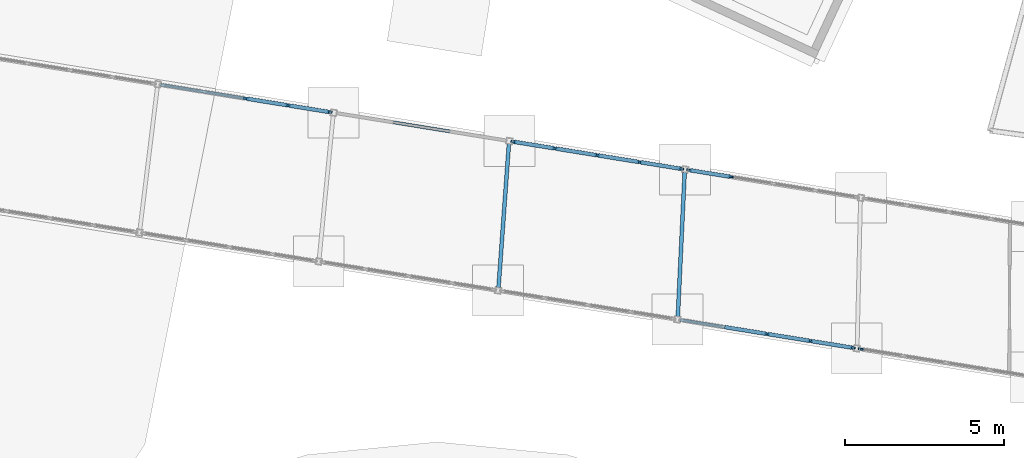
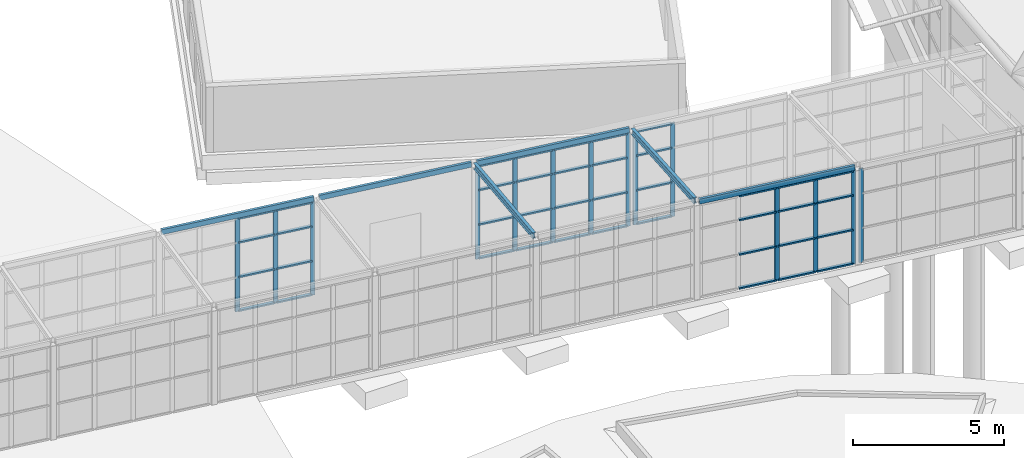
# One storey, part 80 of 226: 54 members, 6 beams, 5 elements without a shape of their own.
"""IFC4 building model written with IfcOpenShell, lengths in metres."""

from ifc_helpers import new_model, si_unit, direction, frame, origin, origin_2d, place, context, subcontext, project, spatial, rectangle, hollow_rectangle, i_section, extrude, material, material_profile, profile_set, type_object, element, aggregate, save


model = new_model("IFC4")

# Units and contexts
model_context = context("Model", 3, precision=1e-05, world=origin(), true_north=direction((0.0, 1.0)))
body_context = subcontext(model_context, "Body", "Model", "MODEL_VIEW")
ifc_project = project(units=[si_unit("LENGTHUNIT", "METRE"), si_unit("AREAUNIT", "SQUARE_METRE"), si_unit("VOLUMEUNIT", "CUBIC_METRE"), si_unit("PLANEANGLEUNIT", "RADIAN"), si_unit("MASSUNIT", "GRAM", prefix="KILO")], contexts=[model_context])

# Site, building, storey
site_placement = place(None, origin())
site = spatial("IfcSite", under=ifc_project, at=site_placement, CompositionType="ELEMENT")
building_placement = place(site_placement, origin())
building = spatial("IfcBuilding", under=site, at=building_placement, Name="Ceibo Conservatory and Research Tower", CompositionType="ELEMENT")
storey_placement = place(building_placement, origin())
storey = spatial("IfcBuildingStorey", under=building, at=storey_placement, Name="L00", CompositionType="ELEMENT", Elevation=0.0)

# Curtain wall, member
ifc_material_1 = material(Name="Aluminium and glass", Category="aluminium")
curtain_wall_type = type_object("IfcCurtainWallType", Name="Gallery curtain wall", PredefinedType="NOTDEFINED", material=ifc_material_1)
curtain_wall_1_placement = place(storey_placement, origin())
curtain_wall_1 = element("IfcCurtainWall", 1, at=curtain_wall_1_placement, inside=storey, type_object=curtain_wall_type, Name="Gallery curtain wall A-RT-CWN02", PredefinedType="NOTDEFINED")
ifc_material_2 = material(Name="Aluminium", Category="aluminium")
ifc_material_profile_1 = material_profile(ifc_material_2, rectangle(XDim=0.06005859375, YDim=0.159912109375, at=origin_2d()), Name="AL 60x160")
ifc_profile_set_1 = profile_set([ifc_material_profile_1], Name="Aluminium")
member_type_1 = type_object("IfcMemberType", Name="Gallery mullion 60x160", PredefinedType="MULLION", material=ifc_profile_set_1)
member_1_placement = place(storey_placement, frame((109.334716796875, 106.924072265625, 0.0), z_axis=(0.0, 0.0, 1.0), x_axis=(-0.159391110254, -0.987215515464, 0.0)))
member_1 = element("IfcMember", 2, at=member_1_placement, type_object=member_type_1, Name="A-RT-CWN02 mullion 5", PredefinedType="MULLION", context=body_context, shape_type="SweptSolid", body=[
    extrude(rectangle(XDim=0.06005859375, YDim=0.159912109375, at=origin_2d()), origin(), (0.0, 0.0, 1.0), 3.800048828125),
])
aggregate(curtain_wall_1, [member_1])

# Curtain wall, members
curtain_wall_2_placement = place(storey_placement, origin())
curtain_wall_2 = element("IfcCurtainWall", 3, at=curtain_wall_2_placement, inside=storey, type_object=curtain_wall_type, Name="Gallery curtain wall A-RT-CWN03", PredefinedType="NOTDEFINED")
member_2_placement = place(storey_placement, frame((109.078125, 106.965576171875, 0.0), z_axis=(0.0, 0.0, 1.0), x_axis=(-0.159391110254, -0.987215515464, 0.0)))
member_2 = element("IfcMember", 4, at=member_2_placement, type_object=member_type_1, Name="A-RT-CWN03 mullion 1", PredefinedType="MULLION", context=body_context, shape_type="SweptSolid", body=[
    extrude(rectangle(XDim=0.06005859375, YDim=0.159912109375, at=origin_2d()), origin(), (0.0, 0.0, 1.0), 3.800048828125),
])
member_3_placement = place(storey_placement, frame((107.745849609375, 107.1806640625, 0.0), z_axis=(0.0, 0.0, 1.0), x_axis=(-0.159391110254, -0.987215515464, 0.0)))
member_3 = element("IfcMember", 5, at=member_3_placement, type_object=member_type_1, Name="A-RT-CWN03 mullion 2", PredefinedType="MULLION", context=body_context, shape_type="SweptSolid", body=[
    extrude(rectangle(XDim=0.06005859375, YDim=0.159912109375, at=origin_2d()), origin(), (0.0, 0.0, 1.0), 3.800048828125),
])
member_4_placement = place(storey_placement, frame((106.3837890625, 107.400390625, 0.0), z_axis=(0.0, 0.0, 1.0), x_axis=(-0.159391110254, -0.987215515464, 0.0)))
member_4 = element("IfcMember", 6, at=member_4_placement, type_object=member_type_1, Name="A-RT-CWN03 mullion 3", PredefinedType="MULLION", context=body_context, shape_type="SweptSolid", body=[
    extrude(rectangle(XDim=0.06005859375, YDim=0.159912109375, at=origin_2d()), origin(), (0.0, 0.0, 1.0), 3.800048828125),
])

curtain_wall_3_placement = place(storey_placement, origin())
curtain_wall_3 = element("IfcCurtainWall", 7, at=curtain_wall_3_placement, inside=storey, type_object=curtain_wall_type, Name="Gallery curtain wall A-RT-CWS03", PredefinedType="NOTDEFINED")
member_5_placement = place(storey_placement, frame((105.23876953125, 112.34619140625, 0.0), z_axis=(0.0, 0.0, 1.0), x_axis=(-0.159391110254, -0.987215515464, 0.0)))
member_5 = element("IfcMember", 8, at=member_5_placement, type_object=member_type_1, Name="A-RT-CWS03 mullion 4", PredefinedType="MULLION", context=body_context, shape_type="SweptSolid", body=[
    extrude(rectangle(XDim=0.06005859375, YDim=0.159912109375, at=origin_2d()), origin(), (0.0, 0.0, 1.0), 3.800048828125),
])
member_6_placement = place(storey_placement, frame((103.9345703125, 112.556884765625, 0.0), z_axis=(0.0, 0.0, 1.0), x_axis=(-0.159391110254, -0.987215515464, 0.0)))
member_6 = element("IfcMember", 9, at=member_6_placement, type_object=member_type_1, Name="A-RT-CWS03 mullion 5", PredefinedType="MULLION", context=body_context, shape_type="SweptSolid", body=[
    extrude(rectangle(XDim=0.06005859375, YDim=0.159912109375, at=origin_2d()), origin(), (0.0, 0.0, 1.0), 3.800048828125),
])

curtain_wall_4_placement = place(storey_placement, origin())
curtain_wall_4 = element("IfcCurtainWall", 10, at=curtain_wall_4_placement, inside=storey, type_object=curtain_wall_type, Name="Gallery curtain wall A-RT-CWS04", PredefinedType="NOTDEFINED")
member_7_placement = place(storey_placement, frame((103.677978515625, 112.59814453125, 0.0), z_axis=(0.0, 0.0, 1.0), x_axis=(-0.159391110254, -0.987215515464, 0.0)))
member_7 = element("IfcMember", 11, at=member_7_placement, type_object=member_type_1, Name="A-RT-CWS04 mullion 1", PredefinedType="MULLION", context=body_context, shape_type="SweptSolid", body=[
    extrude(rectangle(XDim=0.06005859375, YDim=0.159912109375, at=origin_2d()), origin(), (0.0, 0.0, 1.0), 3.800048828125),
])
member_8_placement = place(storey_placement, frame((102.373779296875, 112.808837890625, 0.0), z_axis=(0.0, 0.0, 1.0), x_axis=(-0.159391110254, -0.987215515464, 0.0)))
member_8 = element("IfcMember", 12, at=member_8_placement, type_object=member_type_1, Name="A-RT-CWS04 mullion 2", PredefinedType="MULLION", context=body_context, shape_type="SweptSolid", body=[
    extrude(rectangle(XDim=0.06005859375, YDim=0.159912109375, at=origin_2d()), origin(), (0.0, 0.0, 1.0), 3.800048828125),
])
member_9_placement = place(storey_placement, frame((101.039794921875, 113.024169921875, 0.0), z_axis=(0.0, 0.0, 1.0), x_axis=(-0.159391110254, -0.987215515464, 0.0)))
member_9 = element("IfcMember", 13, at=member_9_placement, type_object=member_type_1, Name="A-RT-CWS04 mullion 3", PredefinedType="MULLION", context=body_context, shape_type="SweptSolid", body=[
    extrude(rectangle(XDim=0.06005859375, YDim=0.159912109375, at=origin_2d()), origin(), (0.0, 0.0, 1.0), 3.800048828125),
])
member_10_placement = place(storey_placement, frame((99.705810546875, 113.239501953125, 0.0), z_axis=(0.0, 0.0, 1.0), x_axis=(-0.159391110254, -0.987215515464, 0.0)))
member_10 = element("IfcMember", 14, at=member_10_placement, type_object=member_type_1, Name="A-RT-CWS04 mullion 4", PredefinedType="MULLION", context=body_context, shape_type="SweptSolid", body=[
    extrude(rectangle(XDim=0.06005859375, YDim=0.159912109375, at=origin_2d()), origin(), (0.0, 0.0, 1.0), 3.800048828125),
])
member_11_placement = place(storey_placement, frame((98.401611328125, 113.4501953125, 0.0), z_axis=(0.0, 0.0, 1.0), x_axis=(-0.159391110254, -0.987215515464, 0.0)))
member_11 = element("IfcMember", 15, at=member_11_placement, type_object=member_type_1, Name="A-RT-CWS04 mullion 5", PredefinedType="MULLION", context=body_context, shape_type="SweptSolid", body=[
    extrude(rectangle(XDim=0.06005859375, YDim=0.159912109375, at=origin_2d()), origin(), (0.0, 0.0, 1.0), 3.800048828125),
])

curtain_wall_5_placement = place(storey_placement, origin())
curtain_wall_5 = element("IfcCurtainWall", 16, at=curtain_wall_5_placement, inside=storey, type_object=curtain_wall_type, Name="Gallery curtain wall A-RT-CWS06", PredefinedType="NOTDEFINED")
member_12_placement = place(storey_placement, frame((92.612060546875, 114.385009765625, 0.0), z_axis=(0.0, 0.0, 1.0), x_axis=(-0.159391110254, -0.987215515464, 0.0)))
member_12 = element("IfcMember", 17, at=member_12_placement, type_object=member_type_1, Name="A-RT-CWS06 mullion 1", PredefinedType="MULLION", context=body_context, shape_type="SweptSolid", body=[
    extrude(rectangle(XDim=0.06005859375, YDim=0.159912109375, at=origin_2d()), origin(), (0.0, 0.0, 1.0), 3.800048828125),
])
member_13_placement = place(storey_placement, frame((91.307861328125, 114.595458984375, 0.0), z_axis=(0.0, 0.0, 1.0), x_axis=(-0.159391110254, -0.987215515464, 0.0)))
member_13 = element("IfcMember", 18, at=member_13_placement, type_object=member_type_1, Name="A-RT-CWS06 mullion 2", PredefinedType="MULLION", context=body_context, shape_type="SweptSolid", body=[
    extrude(rectangle(XDim=0.06005859375, YDim=0.159912109375, at=origin_2d()), origin(), (0.0, 0.0, 1.0), 3.800048828125),
])
member_14_placement = place(storey_placement, frame((89.973876953125, 114.810791015625, 0.0), z_axis=(0.0, 0.0, 1.0), x_axis=(-0.159391110254, -0.987215515464, 0.0)))
member_14 = element("IfcMember", 19, at=member_14_placement, type_object=member_type_1, Name="A-RT-CWS06 mullion 3", PredefinedType="MULLION", context=body_context, shape_type="SweptSolid", body=[
    extrude(rectangle(XDim=0.06005859375, YDim=0.159912109375, at=origin_2d()), origin(), (0.0, 0.0, 1.0), 3.800048828125),
])

# Member
ifc_material_profile_2 = material_profile(ifc_material_2, rectangle(XDim=0.1201171875, YDim=0.06005859375, at=origin_2d()), Name="AL 60x120")
ifc_profile_set_2 = profile_set([ifc_material_profile_2], Name="Aluminium")
member_type_2 = type_object("IfcMemberType", Name="Gallery transom 60x120", PredefinedType="USERDEFINED", material=ifc_profile_set_2)
member_15_placement = place(storey_placement, frame((109.04833984375, 106.97021484375, 0.030029296875), z_axis=(-0.987210378052, 0.159422926413, 0.0), x_axis=(-0.159422926413, -0.987210378052, 0.0)))
member_15 = element("IfcMember", 20, at=member_15_placement, type_object=member_type_2, Name="A-RT-CWN03 transom 1.1", ObjectType="TRANSOM", PredefinedType="USERDEFINED", context=body_context, shape_type="SweptSolid", body=[
    extrude(rectangle(XDim=0.1201171875, YDim=0.06005859375, at=origin_2d()), origin(), (0.0, 0.0, 1.0), 1.28955078125),
])

member_16_placement = place(storey_placement, frame((109.04833984375, 106.97021484375, 1.39990234375), z_axis=(-0.987210378052, 0.159422926413, 0.0), x_axis=(-0.159422926413, -0.987210378052, 0.0)))
member_16 = element("IfcMember", 21, at=member_16_placement, type_object=member_type_2, Name="A-RT-CWN03 transom 1.2", ObjectType="TRANSOM", PredefinedType="USERDEFINED", context=body_context, shape_type="SweptSolid", body=[
    extrude(rectangle(XDim=0.1201171875, YDim=0.06005859375, at=origin_2d()), origin(), (0.0, 0.0, 1.0), 1.28955078125),
])

member_17_placement = place(storey_placement, frame((109.04833984375, 106.97021484375, 2.800048828125), z_axis=(-0.987210378052, 0.159422926413, 0.0), x_axis=(-0.159422926413, -0.987210378052, 0.0)))
member_17 = element("IfcMember", 22, at=member_17_placement, type_object=member_type_2, Name="A-RT-CWN03 transom 1.3", ObjectType="TRANSOM", PredefinedType="USERDEFINED", context=body_context, shape_type="SweptSolid", body=[
    extrude(rectangle(XDim=0.1201171875, YDim=0.06005859375, at=origin_2d()), origin(), (0.0, 0.0, 1.0), 1.28955078125),
])

member_18_placement = place(storey_placement, frame((109.04833984375, 106.97021484375, 3.77001953125), z_axis=(-0.987210378052, 0.159422926413, 0.0), x_axis=(-0.159422926413, -0.987210378052, 0.0)))
member_18 = element("IfcMember", 23, at=member_18_placement, type_object=member_type_2, Name="A-RT-CWN03 transom 1.4", ObjectType="TRANSOM", PredefinedType="USERDEFINED", context=body_context, shape_type="SweptSolid", body=[
    extrude(rectangle(XDim=0.1201171875, YDim=0.06005859375, at=origin_2d()), origin(), (0.0, 0.0, 1.0), 1.28955078125),
])

member_19_placement = place(storey_placement, frame((107.716064453125, 107.185302734375, 0.030029296875), z_axis=(-0.987201687199, 0.159476734326, 0.0), x_axis=(-0.159476734326, -0.987201687199, 0.0)))
member_19 = element("IfcMember", 24, at=member_19_placement, type_object=member_type_2, Name="A-RT-CWN03 transom 2.1", ObjectType="TRANSOM", PredefinedType="USERDEFINED", context=body_context, shape_type="SweptSolid", body=[
    extrude(rectangle(XDim=0.1201171875, YDim=0.06005859375, at=origin_2d()), origin(), (0.0, 0.0, 1.0), 1.319580078125),
])

member_20_placement = place(storey_placement, frame((107.716064453125, 107.185302734375, 1.39990234375), z_axis=(-0.987201687199, 0.159476734326, 0.0), x_axis=(-0.159476734326, -0.987201687199, 0.0)))
member_20 = element("IfcMember", 25, at=member_20_placement, type_object=member_type_2, Name="A-RT-CWN03 transom 2.2", ObjectType="TRANSOM", PredefinedType="USERDEFINED", context=body_context, shape_type="SweptSolid", body=[
    extrude(rectangle(XDim=0.1201171875, YDim=0.06005859375, at=origin_2d()), origin(), (0.0, 0.0, 1.0), 1.319580078125),
])

member_21_placement = place(storey_placement, frame((107.716064453125, 107.185302734375, 2.800048828125), z_axis=(-0.987201687199, 0.159476734326, 0.0), x_axis=(-0.159476734326, -0.987201687199, 0.0)))
member_21 = element("IfcMember", 26, at=member_21_placement, type_object=member_type_2, Name="A-RT-CWN03 transom 2.3", ObjectType="TRANSOM", PredefinedType="USERDEFINED", context=body_context, shape_type="SweptSolid", body=[
    extrude(rectangle(XDim=0.1201171875, YDim=0.06005859375, at=origin_2d()), origin(), (0.0, 0.0, 1.0), 1.319580078125),
])

member_22_placement = place(storey_placement, frame((107.716064453125, 107.185302734375, 3.77001953125), z_axis=(-0.987201687199, 0.159476734326, 0.0), x_axis=(-0.159476734326, -0.987201687199, 0.0)))
member_22 = element("IfcMember", 27, at=member_22_placement, type_object=member_type_2, Name="A-RT-CWN03 transom 2.4", ObjectType="TRANSOM", PredefinedType="USERDEFINED", context=body_context, shape_type="SweptSolid", body=[
    extrude(rectangle(XDim=0.1201171875, YDim=0.06005859375, at=origin_2d()), origin(), (0.0, 0.0, 1.0), 1.319580078125),
])

member_23_placement = place(storey_placement, frame((106.354248046875, 107.4052734375, 0.030029296875), z_axis=(-0.987201687199, 0.159476734326, 0.0), x_axis=(-0.159476734326, -0.987201687199, 0.0)))
member_23 = element("IfcMember", 28, at=member_23_placement, type_object=member_type_2, Name="A-RT-CWN03 transom 3.1", ObjectType="TRANSOM", PredefinedType="USERDEFINED", context=body_context, shape_type="SweptSolid", body=[
    extrude(rectangle(XDim=0.1201171875, YDim=0.06005859375, at=origin_2d()), origin(), (0.0, 0.0, 1.0), 1.319580078125),
])

member_24_placement = place(storey_placement, frame((106.354248046875, 107.4052734375, 1.39990234375), z_axis=(-0.987201687199, 0.159476734326, 0.0), x_axis=(-0.159476734326, -0.987201687199, 0.0)))
member_24 = element("IfcMember", 29, at=member_24_placement, type_object=member_type_2, Name="A-RT-CWN03 transom 3.2", ObjectType="TRANSOM", PredefinedType="USERDEFINED", context=body_context, shape_type="SweptSolid", body=[
    extrude(rectangle(XDim=0.1201171875, YDim=0.06005859375, at=origin_2d()), origin(), (0.0, 0.0, 1.0), 1.319580078125),
])

member_25_placement = place(storey_placement, frame((106.354248046875, 107.4052734375, 2.800048828125), z_axis=(-0.987201687199, 0.159476734326, 0.0), x_axis=(-0.159476734326, -0.987201687199, 0.0)))
member_25 = element("IfcMember", 30, at=member_25_placement, type_object=member_type_2, Name="A-RT-CWN03 transom 3.3", ObjectType="TRANSOM", PredefinedType="USERDEFINED", context=body_context, shape_type="SweptSolid", body=[
    extrude(rectangle(XDim=0.1201171875, YDim=0.06005859375, at=origin_2d()), origin(), (0.0, 0.0, 1.0), 1.319580078125),
])

member_26_placement = place(storey_placement, frame((106.354248046875, 107.4052734375, 3.77001953125), z_axis=(-0.987201687199, 0.159476734326, 0.0), x_axis=(-0.159476734326, -0.987201687199, 0.0)))
member_26 = element("IfcMember", 31, at=member_26_placement, type_object=member_type_2, Name="A-RT-CWN03 transom 3.4", ObjectType="TRANSOM", PredefinedType="USERDEFINED", context=body_context, shape_type="SweptSolid", body=[
    extrude(rectangle(XDim=0.1201171875, YDim=0.06005859375, at=origin_2d()), origin(), (0.0, 0.0, 1.0), 1.319580078125),
])

aggregate(curtain_wall_2, [member_2, member_3, member_4, member_15, member_16, member_17, member_18, member_19, member_20, member_21, member_22, member_23, member_24, member_25, member_26])

member_27_placement = place(storey_placement, frame((105.209228515625, 112.35107421875, 0.030029296875), z_axis=(-0.987228356567, 0.159311556364, 0.0), x_axis=(-0.159311556364, -0.987228356567, 0.0)))
member_27 = element("IfcMember", 32, at=member_27_placement, type_object=member_type_2, Name="A-RT-CWS03 transom 4.1", ObjectType="TRANSOM", PredefinedType="USERDEFINED", context=body_context, shape_type="SweptSolid", body=[
    extrude(rectangle(XDim=0.1201171875, YDim=0.06005859375, at=origin_2d()), origin(), (0.0, 0.0, 1.0), 1.26123046875),
])

member_28_placement = place(storey_placement, frame((105.209228515625, 112.35107421875, 1.39990234375), z_axis=(-0.987228356567, 0.159311556364, 0.0), x_axis=(-0.159311556364, -0.987228356567, 0.0)))
member_28 = element("IfcMember", 33, at=member_28_placement, type_object=member_type_2, Name="A-RT-CWS03 transom 4.2", ObjectType="TRANSOM", PredefinedType="USERDEFINED", context=body_context, shape_type="SweptSolid", body=[
    extrude(rectangle(XDim=0.1201171875, YDim=0.06005859375, at=origin_2d()), origin(), (0.0, 0.0, 1.0), 1.26123046875),
])

member_29_placement = place(storey_placement, frame((105.209228515625, 112.35107421875, 2.800048828125), z_axis=(-0.987228356567, 0.159311556364, 0.0), x_axis=(-0.159311556364, -0.987228356567, 0.0)))
member_29 = element("IfcMember", 34, at=member_29_placement, type_object=member_type_2, Name="A-RT-CWS03 transom 4.3", ObjectType="TRANSOM", PredefinedType="USERDEFINED", context=body_context, shape_type="SweptSolid", body=[
    extrude(rectangle(XDim=0.1201171875, YDim=0.06005859375, at=origin_2d()), origin(), (0.0, 0.0, 1.0), 1.26123046875),
])

member_30_placement = place(storey_placement, frame((105.209228515625, 112.35107421875, 3.77001953125), z_axis=(-0.987228356567, 0.159311556364, 0.0), x_axis=(-0.159311556364, -0.987228356567, 0.0)))
member_30 = element("IfcMember", 35, at=member_30_placement, type_object=member_type_2, Name="A-RT-CWS03 transom 4.4", ObjectType="TRANSOM", PredefinedType="USERDEFINED", context=body_context, shape_type="SweptSolid", body=[
    extrude(rectangle(XDim=0.1201171875, YDim=0.06005859375, at=origin_2d()), origin(), (0.0, 0.0, 1.0), 1.26123046875),
])

aggregate(curtain_wall_3, [member_5, member_6, member_27, member_28, member_29, member_30])

member_31_placement = place(storey_placement, frame((103.648193359375, 112.60302734375, 0.030029296875), z_axis=(-0.987223442212, 0.159342006852, 0.0), x_axis=(-0.159342006852, -0.987223442212, 0.0)))
member_31 = element("IfcMember", 36, at=member_31_placement, type_object=member_type_2, Name="A-RT-CWS04 transom 1.1", ObjectType="TRANSOM", PredefinedType="USERDEFINED", context=body_context, shape_type="SweptSolid", body=[
    extrude(rectangle(XDim=0.1201171875, YDim=0.06005859375, at=origin_2d()), origin(), (0.0, 0.0, 1.0), 1.260986328125),
])

member_32_placement = place(storey_placement, frame((103.648193359375, 112.60302734375, 1.39990234375), z_axis=(-0.987223442212, 0.159342006852, 0.0), x_axis=(-0.159342006852, -0.987223442212, 0.0)))
member_32 = element("IfcMember", 37, at=member_32_placement, type_object=member_type_2, Name="A-RT-CWS04 transom 1.2", ObjectType="TRANSOM", PredefinedType="USERDEFINED", context=body_context, shape_type="SweptSolid", body=[
    extrude(rectangle(XDim=0.1201171875, YDim=0.06005859375, at=origin_2d()), origin(), (0.0, 0.0, 1.0), 1.260986328125),
])

member_33_placement = place(storey_placement, frame((103.648193359375, 112.60302734375, 2.800048828125), z_axis=(-0.987223442212, 0.159342006852, 0.0), x_axis=(-0.159342006852, -0.987223442212, 0.0)))
member_33 = element("IfcMember", 38, at=member_33_placement, type_object=member_type_2, Name="A-RT-CWS04 transom 1.3", ObjectType="TRANSOM", PredefinedType="USERDEFINED", context=body_context, shape_type="SweptSolid", body=[
    extrude(rectangle(XDim=0.1201171875, YDim=0.06005859375, at=origin_2d()), origin(), (0.0, 0.0, 1.0), 1.260986328125),
])

member_34_placement = place(storey_placement, frame((103.648193359375, 112.60302734375, 3.77001953125), z_axis=(-0.987223442212, 0.159342006852, 0.0), x_axis=(-0.159342006852, -0.987223442212, 0.0)))
member_34 = element("IfcMember", 39, at=member_34_placement, type_object=member_type_2, Name="A-RT-CWS04 transom 1.4", ObjectType="TRANSOM", PredefinedType="USERDEFINED", context=body_context, shape_type="SweptSolid", body=[
    extrude(rectangle(XDim=0.1201171875, YDim=0.06005859375, at=origin_2d()), origin(), (0.0, 0.0, 1.0), 1.260986328125),
])

member_35_placement = place(storey_placement, frame((102.343994140625, 112.813720703125, 0.030029296875), z_axis=(-0.987243997189, 0.159214603646, 0.0), x_axis=(-0.159214603646, -0.987243997189, 0.0)))
member_35 = element("IfcMember", 40, at=member_35_placement, type_object=member_type_2, Name="A-RT-CWS04 transom 2.1", ObjectType="TRANSOM", PredefinedType="USERDEFINED", context=body_context, shape_type="SweptSolid", body=[
    extrude(rectangle(XDim=0.1201171875, YDim=0.06005859375, at=origin_2d()), origin(), (0.0, 0.0, 1.0), 1.291015625),
])

member_36_placement = place(storey_placement, frame((102.343994140625, 112.813720703125, 1.39990234375), z_axis=(-0.987243997189, 0.159214603646, 0.0), x_axis=(-0.159214603646, -0.987243997189, 0.0)))
member_36 = element("IfcMember", 41, at=member_36_placement, type_object=member_type_2, Name="A-RT-CWS04 transom 2.2", ObjectType="TRANSOM", PredefinedType="USERDEFINED", context=body_context, shape_type="SweptSolid", body=[
    extrude(rectangle(XDim=0.1201171875, YDim=0.06005859375, at=origin_2d()), origin(), (0.0, 0.0, 1.0), 1.291015625),
])

member_37_placement = place(storey_placement, frame((102.343994140625, 112.813720703125, 2.800048828125), z_axis=(-0.987243997189, 0.159214603646, 0.0), x_axis=(-0.159214603646, -0.987243997189, 0.0)))
member_37 = element("IfcMember", 42, at=member_37_placement, type_object=member_type_2, Name="A-RT-CWS04 transom 2.3", ObjectType="TRANSOM", PredefinedType="USERDEFINED", context=body_context, shape_type="SweptSolid", body=[
    extrude(rectangle(XDim=0.1201171875, YDim=0.06005859375, at=origin_2d()), origin(), (0.0, 0.0, 1.0), 1.291015625),
])

member_38_placement = place(storey_placement, frame((102.343994140625, 112.813720703125, 3.77001953125), z_axis=(-0.987243997189, 0.159214603646, 0.0), x_axis=(-0.159214603646, -0.987243997189, 0.0)))
member_38 = element("IfcMember", 43, at=member_38_placement, type_object=member_type_2, Name="A-RT-CWS04 transom 2.4", ObjectType="TRANSOM", PredefinedType="USERDEFINED", context=body_context, shape_type="SweptSolid", body=[
    extrude(rectangle(XDim=0.1201171875, YDim=0.06005859375, at=origin_2d()), origin(), (0.0, 0.0, 1.0), 1.291015625),
])

member_39_placement = place(storey_placement, frame((101.01025390625, 113.029052734375, 0.030029296875), z_axis=(-0.987214258871, 0.159398892976, 0.0), x_axis=(-0.159398892976, -0.987214258871, 0.0)))
member_39 = element("IfcMember", 44, at=member_39_placement, type_object=member_type_2, Name="A-RT-CWS04 transom 3.1", ObjectType="TRANSOM", PredefinedType="USERDEFINED", context=body_context, shape_type="SweptSolid", body=[
    extrude(rectangle(XDim=0.1201171875, YDim=0.06005859375, at=origin_2d()), origin(), (0.0, 0.0, 1.0), 1.291259765625),
])

member_40_placement = place(storey_placement, frame((101.01025390625, 113.029052734375, 1.39990234375), z_axis=(-0.987214258871, 0.159398892976, 0.0), x_axis=(-0.159398892976, -0.987214258871, 0.0)))
member_40 = element("IfcMember", 45, at=member_40_placement, type_object=member_type_2, Name="A-RT-CWS04 transom 3.2", ObjectType="TRANSOM", PredefinedType="USERDEFINED", context=body_context, shape_type="SweptSolid", body=[
    extrude(rectangle(XDim=0.1201171875, YDim=0.06005859375, at=origin_2d()), origin(), (0.0, 0.0, 1.0), 1.291259765625),
])

member_41_placement = place(storey_placement, frame((101.01025390625, 113.029052734375, 2.800048828125), z_axis=(-0.987214258871, 0.159398892976, 0.0), x_axis=(-0.159398892976, -0.987214258871, 0.0)))
member_41 = element("IfcMember", 46, at=member_41_placement, type_object=member_type_2, Name="A-RT-CWS04 transom 3.3", ObjectType="TRANSOM", PredefinedType="USERDEFINED", context=body_context, shape_type="SweptSolid", body=[
    extrude(rectangle(XDim=0.1201171875, YDim=0.06005859375, at=origin_2d()), origin(), (0.0, 0.0, 1.0), 1.291259765625),
])

member_42_placement = place(storey_placement, frame((101.01025390625, 113.029052734375, 3.77001953125), z_axis=(-0.987214258871, 0.159398892976, 0.0), x_axis=(-0.159398892976, -0.987214258871, 0.0)))
member_42 = element("IfcMember", 47, at=member_42_placement, type_object=member_type_2, Name="A-RT-CWS04 transom 3.4", ObjectType="TRANSOM", PredefinedType="USERDEFINED", context=body_context, shape_type="SweptSolid", body=[
    extrude(rectangle(XDim=0.1201171875, YDim=0.06005859375, at=origin_2d()), origin(), (0.0, 0.0, 1.0), 1.291259765625),
])

member_43_placement = place(storey_placement, frame((99.67626953125, 113.244384765625, 0.030029296875), z_axis=(-0.987223442212, 0.159342006852, 0.0), x_axis=(-0.159342006852, -0.987223442212, 0.0)))
member_43 = element("IfcMember", 48, at=member_43_placement, type_object=member_type_2, Name="A-RT-CWS04 transom 4.1", ObjectType="TRANSOM", PredefinedType="USERDEFINED", context=body_context, shape_type="SweptSolid", body=[
    extrude(rectangle(XDim=0.1201171875, YDim=0.06005859375, at=origin_2d()), origin(), (0.0, 0.0, 1.0), 1.260986328125),
])

member_44_placement = place(storey_placement, frame((99.67626953125, 113.244384765625, 1.39990234375), z_axis=(-0.987223442212, 0.159342006852, 0.0), x_axis=(-0.159342006852, -0.987223442212, 0.0)))
member_44 = element("IfcMember", 49, at=member_44_placement, type_object=member_type_2, Name="A-RT-CWS04 transom 4.2", ObjectType="TRANSOM", PredefinedType="USERDEFINED", context=body_context, shape_type="SweptSolid", body=[
    extrude(rectangle(XDim=0.1201171875, YDim=0.06005859375, at=origin_2d()), origin(), (0.0, 0.0, 1.0), 1.260986328125),
])

member_45_placement = place(storey_placement, frame((99.67626953125, 113.244384765625, 2.800048828125), z_axis=(-0.987223442212, 0.159342006852, 0.0), x_axis=(-0.159342006852, -0.987223442212, 0.0)))
member_45 = element("IfcMember", 50, at=member_45_placement, type_object=member_type_2, Name="A-RT-CWS04 transom 4.3", ObjectType="TRANSOM", PredefinedType="USERDEFINED", context=body_context, shape_type="SweptSolid", body=[
    extrude(rectangle(XDim=0.1201171875, YDim=0.06005859375, at=origin_2d()), origin(), (0.0, 0.0, 1.0), 1.260986328125),
])

member_46_placement = place(storey_placement, frame((99.67626953125, 113.244384765625, 3.77001953125), z_axis=(-0.987223442212, 0.159342006852, 0.0), x_axis=(-0.159342006852, -0.987223442212, 0.0)))
member_46 = element("IfcMember", 51, at=member_46_placement, type_object=member_type_2, Name="A-RT-CWS04 transom 4.4", ObjectType="TRANSOM", PredefinedType="USERDEFINED", context=body_context, shape_type="SweptSolid", body=[
    extrude(rectangle(XDim=0.1201171875, YDim=0.06005859375, at=origin_2d()), origin(), (0.0, 0.0, 1.0), 1.260986328125),
])

aggregate(curtain_wall_4, [member_7, member_8, member_9, member_10, member_11, member_31, member_32, member_33, member_34, member_35, member_36, member_37, member_38, member_39, member_40, member_41, member_42, member_43, member_44, member_45, member_46])

member_47_placement = place(storey_placement, frame((92.58251953125, 114.3896484375, 0.030029296875), z_axis=(-0.987228356567, 0.159311556364, 0.0), x_axis=(-0.159311556364, -0.987228356567, 0.0)))
member_47 = element("IfcMember", 52, at=member_47_placement, type_object=member_type_2, Name="A-RT-CWS06 transom 1.1", ObjectType="TRANSOM", PredefinedType="USERDEFINED", context=body_context, shape_type="SweptSolid", body=[
    extrude(rectangle(XDim=0.1201171875, YDim=0.06005859375, at=origin_2d()), origin(), (0.0, 0.0, 1.0), 1.26123046875),
])

member_48_placement = place(storey_placement, frame((92.58251953125, 114.3896484375, 1.39990234375), z_axis=(-0.987228356567, 0.159311556364, 0.0), x_axis=(-0.159311556364, -0.987228356567, 0.0)))
member_48 = element("IfcMember", 53, at=member_48_placement, type_object=member_type_2, Name="A-RT-CWS06 transom 1.2", ObjectType="TRANSOM", PredefinedType="USERDEFINED", context=body_context, shape_type="SweptSolid", body=[
    extrude(rectangle(XDim=0.1201171875, YDim=0.06005859375, at=origin_2d()), origin(), (0.0, 0.0, 1.0), 1.26123046875),
])

member_49_placement = place(storey_placement, frame((92.58251953125, 114.3896484375, 2.800048828125), z_axis=(-0.987228356567, 0.159311556364, 0.0), x_axis=(-0.159311556364, -0.987228356567, 0.0)))
member_49 = element("IfcMember", 54, at=member_49_placement, type_object=member_type_2, Name="A-RT-CWS06 transom 1.3", ObjectType="TRANSOM", PredefinedType="USERDEFINED", context=body_context, shape_type="SweptSolid", body=[
    extrude(rectangle(XDim=0.1201171875, YDim=0.06005859375, at=origin_2d()), origin(), (0.0, 0.0, 1.0), 1.26123046875),
])

member_50_placement = place(storey_placement, frame((92.58251953125, 114.3896484375, 3.77001953125), z_axis=(-0.987228356567, 0.159311556364, 0.0), x_axis=(-0.159311556364, -0.987228356567, 0.0)))
member_50 = element("IfcMember", 55, at=member_50_placement, type_object=member_type_2, Name="A-RT-CWS06 transom 1.4", ObjectType="TRANSOM", PredefinedType="USERDEFINED", context=body_context, shape_type="SweptSolid", body=[
    extrude(rectangle(XDim=0.1201171875, YDim=0.06005859375, at=origin_2d()), origin(), (0.0, 0.0, 1.0), 1.26123046875),
])

member_51_placement = place(storey_placement, frame((91.278076171875, 114.600341796875, 0.030029296875), z_axis=(-0.987209453245, 0.159428653082, 0.0), x_axis=(-0.159428653082, -0.987209453245, 0.0)))
member_51 = element("IfcMember", 56, at=member_51_placement, type_object=member_type_2, Name="A-RT-CWS06 transom 2.1", ObjectType="TRANSOM", PredefinedType="USERDEFINED", context=body_context, shape_type="SweptSolid", body=[
    extrude(rectangle(XDim=0.1201171875, YDim=0.06005859375, at=origin_2d()), origin(), (0.0, 0.0, 1.0), 1.291015625),
])

member_52_placement = place(storey_placement, frame((91.278076171875, 114.600341796875, 1.39990234375), z_axis=(-0.987209453245, 0.159428653082, 0.0), x_axis=(-0.159428653082, -0.987209453245, 0.0)))
member_52 = element("IfcMember", 57, at=member_52_placement, type_object=member_type_2, Name="A-RT-CWS06 transom 2.2", ObjectType="TRANSOM", PredefinedType="USERDEFINED", context=body_context, shape_type="SweptSolid", body=[
    extrude(rectangle(XDim=0.1201171875, YDim=0.06005859375, at=origin_2d()), origin(), (0.0, 0.0, 1.0), 1.291015625),
])

member_53_placement = place(storey_placement, frame((91.278076171875, 114.600341796875, 2.800048828125), z_axis=(-0.987209453245, 0.159428653082, 0.0), x_axis=(-0.159428653082, -0.987209453245, 0.0)))
member_53 = element("IfcMember", 58, at=member_53_placement, type_object=member_type_2, Name="A-RT-CWS06 transom 2.3", ObjectType="TRANSOM", PredefinedType="USERDEFINED", context=body_context, shape_type="SweptSolid", body=[
    extrude(rectangle(XDim=0.1201171875, YDim=0.06005859375, at=origin_2d()), origin(), (0.0, 0.0, 1.0), 1.291015625),
])

member_54_placement = place(storey_placement, frame((91.278076171875, 114.600341796875, 3.77001953125), z_axis=(-0.987209453245, 0.159428653082, 0.0), x_axis=(-0.159428653082, -0.987209453245, 0.0)))
member_54 = element("IfcMember", 59, at=member_54_placement, type_object=member_type_2, Name="A-RT-CWS06 transom 2.4", ObjectType="TRANSOM", PredefinedType="USERDEFINED", context=body_context, shape_type="SweptSolid", body=[
    extrude(rectangle(XDim=0.1201171875, YDim=0.06005859375, at=origin_2d()), origin(), (0.0, 0.0, 1.0), 1.291015625),
])

aggregate(curtain_wall_5, [member_12, member_13, member_14, member_47, member_48, member_49, member_50, member_51, member_52, member_53, member_54])

# Beams
ifc_material_3 = material(Name="Steel S355J2", Category="steel")
ifc_material_profile_3 = material_profile(ifc_material_3, i_section(OverallWidth=0.1201171875, OverallDepth=0.239990234375, WebThickness=0.006103515625, FlangeThickness=0.009765625, at=origin_2d()), Name="IPE 240")
ifc_profile_set_3 = profile_set([ifc_material_profile_3], Name="Steel S355J2")
beam_type_1 = type_object("IfcBeamType", Name="IPE 240 roof beam", PredefinedType="BEAM", material=ifc_profile_set_3)
beam_1_placement = place(storey_placement, frame((103.576416015625, 107.949951171875, 3.8798828125), z_axis=(0.04728147181, 0.998881605809, 0.0), x_axis=(-0.998881605809, 0.04728147181, 0.0)))
element("IfcBeam", 60, at=beam_1_placement, inside=storey, type_object=beam_type_1, Name="Gallery roof beam A-RT-RB03", PredefinedType="BEAM", context=body_context, shape_type="SweptSolid", body=[
    extrude(i_section(OverallWidth=0.1201171875, OverallDepth=0.239990234375, WebThickness=0.006103515625, FlangeThickness=0.009765625, at=origin_2d()), origin(), (0.0, 0.0, 1.0), 4.538818359375),
])
beam_2_placement = place(storey_placement, frame((97.931396484375, 108.861328125, 3.8798828125), z_axis=(0.072205068782, 0.997389807469, 0.0), x_axis=(-0.997389807469, 0.072205068782, 0.0)))
element("IfcBeam", 61, at=beam_2_placement, inside=storey, type_object=beam_type_1, Name="Gallery roof beam A-RT-RB04", PredefinedType="BEAM", context=body_context, shape_type="SweptSolid", body=[
    extrude(i_section(OverallWidth=0.1201171875, OverallDepth=0.239990234375, WebThickness=0.006103515625, FlangeThickness=0.009765625, at=origin_2d()), origin(), (0.0, 0.0, 1.0), 4.52734375),
])
ifc_material_4 = material(Name="Steel S355J2H", Category="steel")
ifc_material_profile_4 = material_profile(ifc_material_4, hollow_rectangle(XDim=0.10009765625, YDim=0.199951171875, WallThickness=0.008056640625, at=origin_2d()), Name="RHS 200x100x8 edge beam")
ifc_profile_set_4 = profile_set([ifc_material_profile_4], Name="Steel S355J2H")
beam_type_2 = type_object("IfcBeamType", Name="RHS 200x100x8 edge beam", PredefinedType="BEAM", material=ifc_profile_set_4)
beam_3_placement = place(storey_placement, frame((109.112548828125, 106.9599609375, 3.89990234375), z_axis=(-0.987216698603, 0.159383782109, 0.0), x_axis=(-0.159383782109, -0.987216698603, 0.0)))
element("IfcBeam", 62, at=beam_3_placement, inside=storey, type_object=beam_type_2, Name="Gallery edge beam A-RT-EBN03", PredefinedType="BEAM", context=body_context, shape_type="SweptSolid", body=[
    extrude(hollow_rectangle(XDim=0.10009765625, YDim=0.199951171875, WallThickness=0.008056640625, at=origin_2d()), origin(), (0.0, 0.0, 1.0), 5.528076171875),
])
for number, where, z_axis, x_axis, name in (
    (63, (103.71240234375, 112.5927734375, 3.89990234375), (-0.987214811991, 0.159395467269, 0.0), (-0.159395467269, -0.987214811991, 0.0), "Gallery edge beam A-RT-EBS04"),
    (64, (98.179443359375, 113.486083984375, 3.89990234375), (-0.987214811991, 0.159395467269, 0.0), (-0.159395467269, -0.987214811991, 0.0), "Gallery edge beam A-RT-EBS05"),
):
    element("IfcBeam", number, at=place(storey_placement, frame(where, z_axis=z_axis, x_axis=x_axis)), inside=storey, type_object=beam_type_2, Name=name, PredefinedType="BEAM", context=body_context, shape_type="SweptSolid", body=[
        extrude(hollow_rectangle(XDim=0.10009765625, YDim=0.199951171875, WallThickness=0.008056640625, at=origin_2d()), origin(), (0.0, 0.0, 1.0), 5.41455078125),
    ])
beam_4_placement = place(storey_placement, frame((92.646728515625, 114.37939453125, 3.89990234375), z_axis=(-0.987215957529, 0.159388372225, 0.0), x_axis=(-0.159388372225, -0.987215957529, 0.0)))
element("IfcBeam", 65, at=beam_4_placement, inside=storey, type_object=beam_type_2, Name="Gallery edge beam A-RT-EBS06", PredefinedType="BEAM", context=body_context, shape_type="SweptSolid", body=[
    extrude(hollow_rectangle(XDim=0.10009765625, YDim=0.199951171875, WallThickness=0.008056640625, at=origin_2d()), origin(), (0.0, 0.0, 1.0), 5.414794921875),
])

save(model, "model.ifc")
